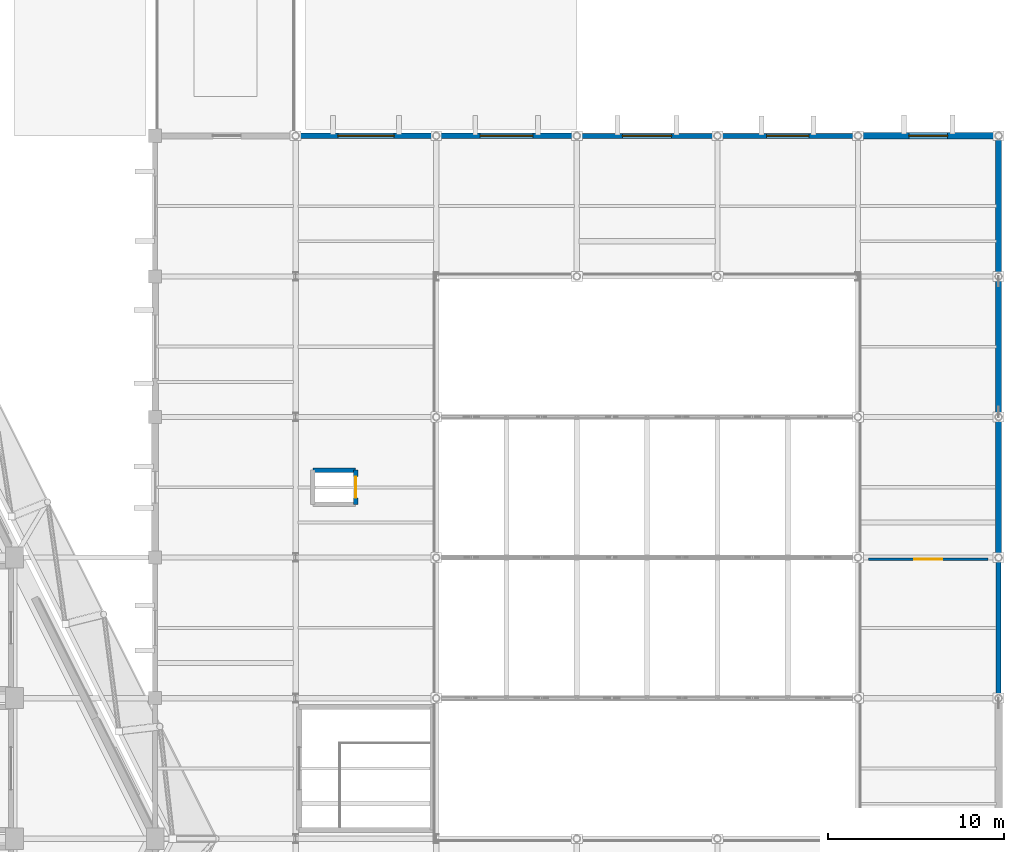
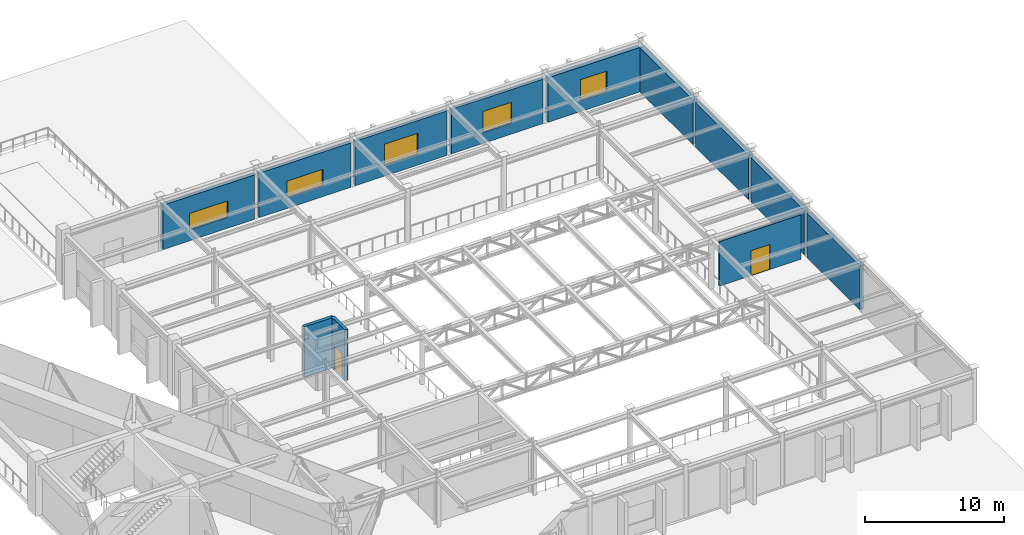
# One storey, part 36 of 46: 12 walls, 5 windows, 2 doors, 7 openings.
"""IFC4 building model written with IfcOpenShell, lengths in metres."""

import ifcopenshell
import ifcopenshell.guid

model = None  # the IFC model being written
_history = None  # IfcOwnerHistory: only IFC2X3 demands one
_inside = {}  # id of a spatial element -> (the spatial element, [elements in it])
_under = {}  # id of a project, library or spatial element -> (it, [spatial elements below it])
_declared = {}  # id of a project -> (the project, [libraries it declares])
_typed = {}  # id of a type object -> (the type object, [elements of that type])
_made_of = {}  # id of a material, layer set ... -> (it, [elements and type objects made of it])


def new_model(schema):
    """Start an empty IFC model of exactly this schema.

    Asked for "IFC4X3", IfcOpenShell would pick the latest addendum, in which some entities
    have other attributes; the version numbers below select the first issue.
    IFC2X3 requires an IfcOwnerHistory on every rooted entity: one is made here for all.
    """
    global model, _history
    if schema == "IFC4X3":
        model = ifcopenshell.file(schema_version=(4, 3, 0, 0))
    else:
        model = ifcopenshell.file(schema=schema)
    _inside.clear()
    _under.clear()
    _declared.clear()
    _typed.clear()
    _made_of.clear()
    _history = None
    if model.schema == "IFC2X3":
        org = make("IfcOrganization", Name="unknown")
        user = make(
            "IfcPersonAndOrganization",
            ThePerson=make("IfcPerson", FamilyName="unknown"),
            TheOrganization=org,
        )
        app = make(
            "IfcApplication",
            ApplicationDeveloper=org,
            Version="unknown",
            ApplicationFullName="unknown",
            ApplicationIdentifier="unknown",
        )
        _history = make(
            "IfcOwnerHistory",
            OwningUser=user,
            OwningApplication=app,
            ChangeAction="ADDED",
            CreationDate=0,
        )
    return model


def make(cls, **values):
    """One entity of the class cls with the attributes given. An attribute that is None is left unset."""
    return model.create_entity(
        cls, **{name: value for name, value in values.items() if value is not None}
    )


def rooted(cls, **values):
    """An entity with a GlobalId (a new one), such as an element, a storey or a relation."""
    return make(cls, GlobalId=ifcopenshell.guid.new(), OwnerHistory=_history, **values)


def si_unit(unit_type, name, prefix=None):
    """IfcSIUnit, for example si_unit("LENGTHUNIT", "METRE", prefix="MILLI")."""
    return make("IfcSIUnit", UnitType=unit_type, Prefix=prefix, Name=name)


def assignment(units):
    """IfcUnitAssignment: the units of a project."""
    return None if units is None else make("IfcUnitAssignment", Units=units)


def point(xyz):
    """IfcCartesianPoint."""
    return None if xyz is None else make("IfcCartesianPoint", Coordinates=xyz)


def direction(xyz):
    """IfcDirection."""
    return None if xyz is None else make("IfcDirection", DirectionRatios=xyz)


def frame(location, z_axis=None, x_axis=None):
    """IfcAxis2Placement3D, a coordinate frame: its origin and axes. An axis left out is left unset."""
    return make(
        "IfcAxis2Placement3D",
        Location=point(location),
        Axis=direction(z_axis),
        RefDirection=direction(x_axis),
    )


def frame_2d(location, x_axis=None):
    """IfcAxis2Placement2D, a coordinate frame in the plane: its origin and x axis."""
    return make(
        "IfcAxis2Placement2D", Location=point(location), RefDirection=direction(x_axis)
    )


def origin():
    """The frame at (0, 0, 0) with its axes left unset."""
    return frame((0.0, 0.0, 0.0))


def place(relative_to, where):
    """IfcLocalPlacement: puts the frame where relative to a parent placement (None: the world)."""
    return make(
        "IfcLocalPlacement", PlacementRelTo=relative_to, RelativePlacement=where
    )


def context(
    kind, dimensions, precision=None, world=None, true_north=None, identifier=None
):
    """IfcGeometricRepresentationContext, for example the 3D "Model" context."""
    return make(
        "IfcGeometricRepresentationContext",
        ContextIdentifier=identifier,
        ContextType=kind,
        CoordinateSpaceDimension=dimensions,
        Precision=precision,
        WorldCoordinateSystem=world,
        TrueNorth=true_north,
    )


def subcontext(parent, identifier, kind, view, scale=None):
    """IfcGeometricRepresentationSubContext, for example "Body" below "Model"."""
    return make(
        "IfcGeometricRepresentationSubContext",
        ContextIdentifier=identifier,
        ContextType=kind,
        ParentContext=parent,
        TargetScale=scale,
        TargetView=view,
    )


def project(units=None, contexts=None):
    """IfcProject with its units and contexts."""
    return rooted(
        "IfcProject",
        Name="project",
        RepresentationContexts=contexts,
        UnitsInContext=assignment(units),
    )


def spatial(cls, under=None, at=None, **own):
    """A site, building, storey or space (cls), placed at a placement, below another one or the project."""
    s = rooted(cls, ObjectPlacement=at, **own)
    if under is not None:
        _under.setdefault(under.id(), (under, []))[1].append(s)
    return s


def profile(cls, at=None, kind="AREA", **sizes):
    """A parametric profile (cls). Its sizes go by their IFC names, for example OverallWidth=200.0."""
    return make(cls, ProfileType=kind, Position=at, **sizes)


def rectangle(**sizes):
    """IfcRectangleProfileDef."""
    return profile("IfcRectangleProfileDef", **sizes)


def extrude(swept, where, along, depth):
    """IfcExtrudedAreaSolid: the profile swept, set in the frame where, extruded along a direction by depth."""
    return make(
        "IfcExtrudedAreaSolid",
        SweptArea=swept,
        Position=where,
        ExtrudedDirection=direction(along),
        Depth=depth,
    )


def shape(context_of_items, identifier, shape_type, items):
    """IfcShapeRepresentation: the items that make up one representation, for example the "Body"."""
    return make(
        "IfcShapeRepresentation",
        ContextOfItems=context_of_items,
        RepresentationIdentifier=identifier,
        RepresentationType=shape_type,
        Items=items,
    )


def material(Name=None, Category=None):
    """IfcMaterial."""
    return make("IfcMaterial", Name=Name, Category=Category)


def layer(
    of_material, thickness, ventilated=None, Name=None, Category=None, Priority=None
):
    """IfcMaterialLayer: one layer of a wall or slab, of a material (None: an air gap)."""
    return make(
        "IfcMaterialLayer",
        Material=of_material,
        LayerThickness=thickness,
        IsVentilated=ventilated,
        Name=Name,
        Category=Category,
        Priority=Priority,
    )


def layer_set(layers, Name=None):
    """IfcMaterialLayerSet."""
    return make("IfcMaterialLayerSet", MaterialLayers=layers, LayerSetName=Name)


def made_of(thing, what):
    """Note that an element or type object is made of a material, layer set ...; save() writes the relation."""
    if what is not None:
        _made_of.setdefault(what.id(), (what, []))[1].append(thing)
    return thing


def type_object(cls, material=None, **own):
    """A type object (cls), such as IfcWallType, which elements share."""
    return made_of(rooted(cls, **own), material)


def element(
    cls,
    number,
    at=None,
    inside=None,
    cuts=None,
    type_object=None,
    material=None,
    context=None,
    identifier="Body",
    shape_type=None,
    held_by="IfcProductDefinitionShape",
    body=None,
    shapes=None,
    **own,
):
    """One element of the class cls, such as IfcWall. Its Tag is "e" and its number.

    at: its placement. inside: the storey or other place that contains it. cuts: it is an
    opening in that element (IfcRelVoidsElement). A single representation is given by context,
    identifier, shape_type and body (its items); several are given by shapes. held_by: the class
    of the entity that holds the representations. save() writes the other relations.
    """
    e = rooted(cls, Tag="e%d" % number, ObjectPlacement=at, **own)
    if body is not None:
        shapes = [shape(context, identifier, shape_type, body)]
    if shapes is not None:
        e.Representation = make(held_by, Representations=shapes)
    if inside is not None:
        _inside.setdefault(inside.id(), (inside, []))[1].append(e)
    if cuts is not None:
        rooted(
            "IfcRelVoidsElement", RelatingBuildingElement=cuts, RelatedOpeningElement=e
        )
    if type_object is not None:
        _typed.setdefault(type_object.id(), (type_object, []))[1].append(e)
    return made_of(e, material)


def fill(opening, filler):
    """IfcRelFillsElement: the door or window that sits in an opening."""
    return rooted(
        "IfcRelFillsElement",
        RelatingOpeningElement=opening,
        RelatedBuildingElement=filler,
    )


def aggregate(whole, parts):
    """IfcRelAggregates: a whole, such as a stair, and the parts it consists of."""
    return rooted("IfcRelAggregates", RelatingObject=whole, RelatedObjects=parts)


def save(model, path):
    """Write the relations noted so far, then the file.

    IfcRelAggregates (storeys below a building ...), IfcRelContainedInSpatialStructure (elements
    in a storey), IfcRelDefinesByType, IfcRelAssociatesMaterial and IfcRelDeclares: one each for
    every whole, place, type object, material and project.
    """
    for whole, parts in _under.values():
        aggregate(whole, parts)
    for where, things in _inside.values():
        rooted(
            "IfcRelContainedInSpatialStructure",
            RelatedElements=things,
            RelatingStructure=where,
        )
    for kind, things in _typed.values():
        rooted("IfcRelDefinesByType", RelatedObjects=things, RelatingType=kind)
    for what, things in _made_of.values():
        rooted("IfcRelAssociatesMaterial", RelatedObjects=things, RelatingMaterial=what)
    for by, libraries in _declared.values():
        rooted("IfcRelDeclares", RelatingContext=by, RelatedDefinitions=libraries)
    model.write(path)


model = new_model("IFC4")

# Units and contexts
model_context = context("Model", 3, precision=1e-05, world=origin(), true_north=direction((0.0, 1.0)))
body_context = subcontext(model_context, "Body", "Model", "MODEL_VIEW")
ifc_project = project(units=[si_unit("LENGTHUNIT", "METRE"), si_unit("AREAUNIT", "SQUARE_METRE"), si_unit("VOLUMEUNIT", "CUBIC_METRE"), si_unit("PLANEANGLEUNIT", "RADIAN"), si_unit("MASSUNIT", "GRAM", prefix="KILO")], contexts=[model_context])

# Site, building, storey
site_placement = place(None, origin())
site = spatial("IfcSite", under=ifc_project, at=site_placement, CompositionType="ELEMENT")
building_placement = place(site_placement, origin())
building = spatial("IfcBuilding", under=site, at=building_placement, Name="Tazarka Park Arena", CompositionType="ELEMENT")
storey_placement = place(building_placement, frame((0.0, 0.0, 10.199951171875)))
storey = spatial("IfcBuildingStorey", under=building, at=storey_placement, Name="L02", CompositionType="ELEMENT", Elevation=10.199951171875)

# Wall
ifc_material_1 = material(Name="Concrete C40/50", Category="concrete")
ifc_layer_1 = layer(ifc_material_1, 0.260009765625, Name="Concrete C40/50")
ifc_layer_set_1 = layer_set([ifc_layer_1], Name="Concrete C40/50")
wall_type_1 = type_object("IfcWallType", Name="IWAL-CW-S3", PredefinedType="SHEAR", material=ifc_layer_set_1)
wall_1_placement = place(storey_placement, frame((144.97998046875, 84.969970703125, 0.0), z_axis=(0.0, 0.0, 1.0), x_axis=(1.0, 0.0, 0.0)))
element("IfcWall", 1, at=wall_1_placement, inside=storey, type_object=wall_type_1, Name="LSW-L02-LF-10-N", PredefinedType="SHEAR", context=body_context, shape_type="SweptSolid", body=[
    extrude(rectangle(XDim=2.43994140625, YDim=0.260009765625, at=frame_2d((1.219970703125, 0.0))), origin(), (0.0, 0.0, 1.0), 4.4599609375),
])

# Wall, opening, door
wall_2_placement = place(storey_placement, frame((147.419921875, 84.969970703125, 0.0), z_axis=(0.0, 0.0, 1.0), x_axis=(0.0, -1.0, 0.0)))
wall_2 = element("IfcWall", 2, at=wall_2_placement, inside=storey, type_object=wall_type_1, Name="LSW-L02-LF-10-E", PredefinedType="SHEAR", context=body_context, shape_type="SweptSolid", body=[
    extrude(rectangle(XDim=1.93994140625, YDim=0.260009765625, at=frame_2d((0.969970703125, 0.0))), origin(), (0.0, 0.0, 1.0), 4.4599609375),
])
opening_1_placement = place(wall_2_placement, frame((0.3701171875, 0.0, 0.0)))
opening_1 = element("IfcOpeningElement", 3, at=opening_1_placement, cuts=wall_2, Name="Opening LD-02", PredefinedType="OPENING", context=body_context, shape_type="SweptSolid", body=[
    extrude(rectangle(XDim=1.199951171875, YDim=2.14990234375, at=frame_2d((0.60009765625, 1.074951171875))), frame((0.0, 0.14013671875, 0.0), z_axis=(0.0, -1.0, 0.0), x_axis=(1.0, 0.0, 0.0)), (0.0, 0.0, 1.0), 0.280029296875),
])
ifc_material_2 = material(Name="Fire-rated powder-coated steel and acoustic timber", Category="steel")
door_type_1 = type_object("IfcDoorType", Name="IDR-LD-02", OperationType="NOTDEFINED", PredefinedType="DOOR", material=ifc_material_2)
door_1_placement = place(opening_1_placement, origin())
door_1 = element("IfcDoor", 4, at=door_1_placement, inside=storey, type_object=door_type_1, Name="Lift Landing Door LF-10-L02", OperationType="SLIDING_TO_LEFT", OverallHeight=2.14990234375, OverallWidth=1.199951171875, PredefinedType="DOOR", context=body_context, shape_type="SweptSolid", body=[
    extrude(rectangle(XDim=1.199951171875, YDim=2.14990234375, at=frame_2d((0.60009765625, 1.074951171875))), frame((0.0, 0.02490234375, 0.0), z_axis=(0.0, -1.0, 0.0), x_axis=(1.0, 0.0, 0.0)), (0.0, 0.0, 1.0), 0.050048828125),
])
fill(opening_1, door_1)

ifc_material_3 = material(Name="Fire-rated acoustic blockwork", Category="masonry")
ifc_layer_2 = layer(ifc_material_3, 0.14990234375, Name="Fire-rated acoustic blockwork")
ifc_layer_set_2 = layer_set([ifc_layer_2], Name="Fire-rated acoustic blockwork")
wall_type_2 = type_object("IfcWallType", Name="IWAL-PT-02", PredefinedType="PARTITIONING", material=ifc_layer_set_2)
wall_3_placement = place(storey_placement, frame((176.611083984375, 79.89990234375, 0.0), z_axis=(0.0, 0.0, 1.0), x_axis=(1.0, 0.0, 0.0)))
wall_3 = element("IfcWall", 5, at=wall_3_placement, inside=storey, type_object=wall_type_2, Name="PRT-L02-020", PredefinedType="PARTITIONING", context=body_context, shape_type="SweptSolid", body=[
    extrude(rectangle(XDim=6.77783203125, YDim=0.14990234375, at=frame_2d((3.388916015625, 0.0))), origin(), (0.0, 0.0, 1.0), 3.91015625),
])
opening_2_placement = place(wall_3_placement, frame((2.5888671875, 0.0, 0.0)))
opening_2 = element("IfcOpeningElement", 6, at=opening_2_placement, cuts=wall_3, Name="Opening ID-07", PredefinedType="OPENING", context=body_context, shape_type="SweptSolid", body=[
    extrude(rectangle(XDim=1.60009765625, YDim=2.199951171875, at=frame_2d((0.800048828125, 1.10009765625))), frame((0.0, 0.0849609375, 0.0), z_axis=(0.0, -1.0, 0.0), x_axis=(1.0, 0.0, 0.0)), (0.0, 0.0, 1.0), 0.169921875),
])
ifc_material_4 = material(Name="Fire-rated powder-coated steel and acoustic timber", Category="steel")
door_type_2 = type_object("IfcDoorType", Name="IDR-ID-07", OperationType="NOTDEFINED", PredefinedType="DOOR", material=ifc_material_4)
door_2_placement = place(opening_2_placement, origin())
door_2 = element("IfcDoor", 7, at=door_2_placement, inside=storey, type_object=door_type_2, Name="Room Door Community Training Studio and Martial Arts Dojo", OperationType="DOUBLE_DOOR_SINGLE_SWING", OverallHeight=2.199951171875, OverallWidth=1.60009765625, PredefinedType="DOOR", context=body_context, shape_type="SweptSolid", body=[
    extrude(rectangle(XDim=1.60009765625, YDim=2.199951171875, at=frame_2d((0.800048828125, 1.10009765625))), frame((0.0, 0.02490234375, 0.0), z_axis=(0.0, -1.0, 0.0), x_axis=(1.0, 0.0, 0.0)), (0.0, 0.0, 1.0), 0.050048828125),
])
fill(opening_2, door_2)

# Walls
ifc_material_5 = material(Name="Precast concrete C40/50", Category="concrete")
ifc_layer_3 = layer(ifc_material_5, 0.300048828125, Name="Precast concrete C40/50")
ifc_layer_set_3 = layer_set([ifc_layer_3], Name="Precast concrete C40/50")
wall_type_3 = type_object("IfcWallType", Name="WAL-EW-01", PredefinedType="SOLIDWALL", material=ifc_layer_set_3)
wall_4_placement = place(storey_placement, frame((184.0, 79.81689453125, 0.0), z_axis=(0.0, 0.0, 1.0), x_axis=(0.0, -1.0, 0.0)))
element("IfcWall", 8, at=wall_4_placement, inside=storey, type_object=wall_type_3, Name="EW-L02-0272", PredefinedType="SOLIDWALL", context=body_context, shape_type="SweptSolid", body=[
    extrude(rectangle(XDim=7.6337890625, YDim=0.300048828125, at=frame_2d((3.81689453125, 0.0))), origin(), (0.0, 0.0, 1.0), 3.91015625),
])
ifc_material_6 = material(Name="Precast concrete C40/50", Category="concrete")
ifc_layer_4 = layer(ifc_material_6, 0.320068359375, Name="Precast concrete C40/50")
ifc_layer_set_4 = layer_set([ifc_layer_4], Name="Precast concrete C40/50")
wall_type_4 = type_object("IfcWallType", Name="WAL-EW-02", PredefinedType="SOLIDWALL", material=ifc_layer_set_4)
wall_5_placement = place(storey_placement, frame((184.0, 87.81689453125, 0.0), z_axis=(0.0, 0.0, 1.0), x_axis=(0.0, -1.0, 0.0)))
element("IfcWall", 9, at=wall_5_placement, inside=storey, type_object=wall_type_4, Name="EW-L02-0273", PredefinedType="SOLIDWALL", context=body_context, shape_type="SweptSolid", body=[
    extrude(rectangle(XDim=7.6337890625, YDim=0.320068359375, at=frame_2d((3.81689453125, 0.0))), origin(), (0.0, 0.0, 1.0), 3.91015625),
])
ifc_material_7 = material(Name="Concrete C40/50", Category="concrete")
ifc_layer_5 = layer(ifc_material_7, 0.340087890625, Name="Concrete C40/50")
ifc_layer_set_5 = layer_set([ifc_layer_5], Name="Concrete C40/50")
wall_type_5 = type_object("IfcWallType", Name="WAL-EW-03", PredefinedType="SOLIDWALL", material=ifc_layer_set_5)
wall_6_placement = place(storey_placement, frame((184.0, 95.81689453125, 0.0), z_axis=(0.0, 0.0, 1.0), x_axis=(0.0, -1.0, 0.0)))
element("IfcWall", 10, at=wall_6_placement, inside=storey, type_object=wall_type_5, Name="EW-L02-0274", PredefinedType="SOLIDWALL", context=body_context, shape_type="SweptSolid", body=[
    extrude(rectangle(XDim=7.6337890625, YDim=0.340087890625, at=frame_2d((3.81689453125, 0.0))), origin(), (0.0, 0.0, 1.0), 3.91015625),
])
ifc_material_8 = material(Name="Concrete C40/50", Category="concrete")
ifc_layer_6 = layer(ifc_material_8, 0.360107421875, Name="Concrete C40/50")
ifc_layer_set_6 = layer_set([ifc_layer_6], Name="Concrete C40/50")
wall_type_6 = type_object("IfcWallType", Name="WAL-EW-04", PredefinedType="SOLIDWALL", material=ifc_layer_set_6)
wall_7_placement = place(storey_placement, frame((184.0, 103.81689453125, 0.0), z_axis=(0.0, 0.0, 1.0), x_axis=(0.0, -1.0, 0.0)))
element("IfcWall", 11, at=wall_7_placement, inside=storey, type_object=wall_type_6, Name="EW-L02-0275", PredefinedType="SOLIDWALL", context=body_context, shape_type="SweptSolid", body=[
    extrude(rectangle(XDim=7.6337890625, YDim=0.360107421875, at=frame_2d((3.81689453125, 0.0))), origin(), (0.0, 0.0, 1.0), 3.91015625),
])

# Wall, opening, window
ifc_material_9 = material(Name="Concrete C50/60", Category="concrete")
ifc_layer_7 = layer(ifc_material_9, 0.3798828125, Name="Concrete C50/60")
ifc_layer_set_7 = layer_set([ifc_layer_7], Name="Concrete C50/60")
wall_type_7 = type_object("IfcWallType", Name="WAL-EW-05", PredefinedType="SOLIDWALL", material=ifc_layer_set_7)
wall_8_placement = place(storey_placement, frame((176.18310546875, 104.0, 0.0), z_axis=(0.0, 0.0, 1.0), x_axis=(1.0, 0.0, 0.0)))
wall_8 = element("IfcWall", 12, at=wall_8_placement, inside=storey, type_object=wall_type_7, Name="EW-L02-0276", PredefinedType="SOLIDWALL", context=body_context, shape_type="SweptSolid", body=[
    extrude(rectangle(XDim=7.6337890625, YDim=0.3798828125, at=frame_2d((3.81689453125, 0.0))), origin(), (0.0, 0.0, 1.0), 3.91015625),
])
opening_3_placement = place(wall_8_placement, frame((2.716796875, 0.0, 0.949951171875)))
opening_3 = element("IfcOpeningElement", 13, at=opening_3_placement, cuts=wall_8, Name="Opening WN-10", PredefinedType="OPENING", context=body_context, shape_type="SweptSolid", body=[
    extrude(rectangle(XDim=2.199951171875, YDim=1.85009765625, at=frame_2d((1.10009765625, 0.925048828125))), frame((0.0, 0.199951171875, 0.0), z_axis=(0.0, -1.0, 0.0), x_axis=(1.0, 0.0, 0.0)), (0.0, 0.0, 1.0), 0.39990234375),
])
ifc_material_10 = material(Name="Thermally broken aluminium and solar-control low-e glazing", Category="aluminium")
window_type_1 = type_object("IfcWindowType", Name="WIN-WN-10", PartitioningType="DOUBLE_PANEL_VERTICAL", PredefinedType="WINDOW", material=ifc_material_10)
window_1_placement = place(opening_3_placement, origin())
window_1 = element("IfcWindow", 14, at=window_1_placement, inside=storey, type_object=window_type_1, Name="WIN-L02-0046", OverallHeight=1.85009765625, OverallWidth=2.199951171875, PartitioningType="SINGLE_PANEL", PredefinedType="WINDOW", context=body_context, shape_type="SweptSolid", body=[
    extrude(rectangle(XDim=2.199951171875, YDim=1.85009765625, at=frame_2d((1.10009765625, 0.925048828125))), frame((0.0, 0.030029296875, 0.0), z_axis=(0.0, -1.0, 0.0), x_axis=(1.0, 0.0, 0.0)), (0.0, 0.0, 1.0), 0.06005859375),
])
fill(opening_3, window_1)

ifc_material_11 = material(Name="Precast concrete C40/50", Category="concrete")
ifc_layer_8 = layer(ifc_material_11, 0.280029296875, Name="Precast concrete C40/50")
ifc_layer_set_8 = layer_set([ifc_layer_8], Name="Precast concrete C40/50")
wall_type_8 = type_object("IfcWallType", Name="WAL-EW-06", PredefinedType="SOLIDWALL", material=ifc_layer_set_8)
wall_9_placement = place(storey_placement, frame((168.18310546875, 104.0, 0.0), z_axis=(0.0, 0.0, 1.0), x_axis=(1.0, 0.0, 0.0)))
wall_9 = element("IfcWall", 15, at=wall_9_placement, inside=storey, type_object=wall_type_8, Name="EW-L02-0277", PredefinedType="SOLIDWALL", context=body_context, shape_type="SweptSolid", body=[
    extrude(rectangle(XDim=7.6337890625, YDim=0.280029296875, at=frame_2d((3.81689453125, 0.0))), origin(), (0.0, 0.0, 1.0), 3.91015625),
])
opening_4_placement = place(wall_9_placement, frame((2.61669921875, 0.0, 0.949951171875)))
opening_4 = element("IfcOpeningElement", 16, at=opening_4_placement, cuts=wall_9, Name="Opening WN-11", PredefinedType="OPENING", context=body_context, shape_type="SweptSolid", body=[
    extrude(rectangle(XDim=2.39990234375, YDim=1.85009765625, at=frame_2d((1.199951171875, 0.925048828125))), frame((0.0, 0.14990234375, 0.0), z_axis=(0.0, -1.0, 0.0), x_axis=(1.0, 0.0, 0.0)), (0.0, 0.0, 1.0), 0.300048828125),
])
ifc_material_12 = material(Name="Thermally broken aluminium and solar-control low-e glazing", Category="aluminium")
window_type_2 = type_object("IfcWindowType", Name="WIN-WN-11", PartitioningType="DOUBLE_PANEL_VERTICAL", PredefinedType="WINDOW", material=ifc_material_12)
window_2_placement = place(opening_4_placement, origin())
window_2 = element("IfcWindow", 17, at=window_2_placement, inside=storey, type_object=window_type_2, Name="WIN-L02-0047", OverallHeight=1.85009765625, OverallWidth=2.39990234375, PartitioningType="SINGLE_PANEL", PredefinedType="WINDOW", context=body_context, shape_type="SweptSolid", body=[
    extrude(rectangle(XDim=2.39990234375, YDim=1.85009765625, at=frame_2d((1.199951171875, 0.925048828125))), frame((0.0, 0.030029296875, 0.0), z_axis=(0.0, -1.0, 0.0), x_axis=(1.0, 0.0, 0.0)), (0.0, 0.0, 1.0), 0.06005859375),
])
fill(opening_4, window_2)

ifc_material_13 = material(Name="Precast concrete C40/50", Category="concrete")
ifc_layer_9 = layer(ifc_material_13, 0.2900390625, Name="Precast concrete C40/50")
ifc_layer_set_9 = layer_set([ifc_layer_9], Name="Precast concrete C40/50")
wall_type_9 = type_object("IfcWallType", Name="WAL-EW-07", PredefinedType="SOLIDWALL", material=ifc_layer_set_9)
wall_10_placement = place(storey_placement, frame((160.18310546875, 104.0, 0.0), z_axis=(0.0, 0.0, 1.0), x_axis=(1.0, 0.0, 0.0)))
wall_10 = element("IfcWall", 18, at=wall_10_placement, inside=storey, type_object=wall_type_9, Name="EW-L02-0278", PredefinedType="SOLIDWALL", context=body_context, shape_type="SweptSolid", body=[
    extrude(rectangle(XDim=7.6337890625, YDim=0.2900390625, at=frame_2d((3.81689453125, 0.0))), origin(), (0.0, 0.0, 1.0), 3.91015625),
])
opening_5_placement = place(wall_10_placement, frame((2.416748046875, 0.0, 0.949951171875)))
opening_5 = element("IfcOpeningElement", 19, at=opening_5_placement, cuts=wall_10, Name="Opening WN-12", PredefinedType="OPENING", context=body_context, shape_type="SweptSolid", body=[
    extrude(rectangle(XDim=2.800048828125, YDim=1.85009765625, at=frame_2d((1.39990234375, 0.925048828125))), frame((0.0, 0.155029296875, 0.0), z_axis=(0.0, -1.0, 0.0), x_axis=(1.0, 0.0, 0.0)), (0.0, 0.0, 1.0), 0.31005859375),
])
ifc_material_14 = material(Name="Thermally broken aluminium and solar-control low-e glazing", Category="aluminium")
window_type_3 = type_object("IfcWindowType", Name="WIN-WN-12", PartitioningType="DOUBLE_PANEL_VERTICAL", PredefinedType="WINDOW", material=ifc_material_14)
window_3_placement = place(opening_5_placement, origin())
window_3 = element("IfcWindow", 20, at=window_3_placement, inside=storey, type_object=window_type_3, Name="WIN-L02-0048", OverallHeight=1.85009765625, OverallWidth=2.800048828125, PartitioningType="SINGLE_PANEL", PredefinedType="WINDOW", context=body_context, shape_type="SweptSolid", body=[
    extrude(rectangle(XDim=2.800048828125, YDim=1.85009765625, at=frame_2d((1.39990234375, 0.925048828125))), frame((0.0, 0.030029296875, 0.0), z_axis=(0.0, -1.0, 0.0), x_axis=(1.0, 0.0, 0.0)), (0.0, 0.0, 1.0), 0.06005859375),
])
fill(opening_5, window_3)

ifc_material_15 = material(Name="Precast concrete C40/50", Category="concrete")
ifc_layer_10 = layer(ifc_material_15, 0.31005859375, Name="Precast concrete C40/50")
ifc_layer_set_10 = layer_set([ifc_layer_10], Name="Precast concrete C40/50")
wall_type_10 = type_object("IfcWallType", Name="WAL-EW-08", PredefinedType="SOLIDWALL", material=ifc_layer_set_10)
wall_11_placement = place(storey_placement, frame((152.18310546875, 104.0, 0.0), z_axis=(0.0, 0.0, 1.0), x_axis=(1.0, 0.0, 0.0)))
wall_11 = element("IfcWall", 21, at=wall_11_placement, inside=storey, type_object=wall_type_10, Name="EW-L02-0279", PredefinedType="SOLIDWALL", context=body_context, shape_type="SweptSolid", body=[
    extrude(rectangle(XDim=7.6337890625, YDim=0.31005859375, at=frame_2d((3.81689453125, 0.0))), origin(), (0.0, 0.0, 1.0), 3.91015625),
])
opening_6_placement = place(wall_11_placement, frame((2.31689453125, 0.0, 0.949951171875)))
opening_6 = element("IfcOpeningElement", 22, at=opening_6_placement, cuts=wall_11, Name="Opening WN-13", PredefinedType="OPENING", context=body_context, shape_type="SweptSolid", body=[
    extrude(rectangle(XDim=3.0, YDim=1.449951171875, at=frame_2d((1.5, 0.72509765625))), frame((0.0, 0.1650390625, 0.0), z_axis=(0.0, -1.0, 0.0), x_axis=(1.0, 0.0, 0.0)), (0.0, 0.0, 1.0), 0.330078125),
])
ifc_material_16 = material(Name="Thermally broken aluminium and solar-control low-e glazing", Category="aluminium")
window_type_4 = type_object("IfcWindowType", Name="WIN-WN-13", PartitioningType="DOUBLE_PANEL_VERTICAL", PredefinedType="WINDOW", material=ifc_material_16)
window_4_placement = place(opening_6_placement, origin())
window_4 = element("IfcWindow", 23, at=window_4_placement, inside=storey, type_object=window_type_4, Name="WIN-L02-0049", OverallHeight=1.449951171875, OverallWidth=3.0, PartitioningType="SINGLE_PANEL", PredefinedType="WINDOW", context=body_context, shape_type="SweptSolid", body=[
    extrude(rectangle(XDim=3.0, YDim=1.449951171875, at=frame_2d((1.5, 0.72509765625))), frame((0.0, 0.030029296875, 0.0), z_axis=(0.0, -1.0, 0.0), x_axis=(1.0, 0.0, 0.0)), (0.0, 0.0, 1.0), 0.06005859375),
])
fill(opening_6, window_4)

ifc_material_17 = material(Name="Concrete C40/50", Category="concrete")
ifc_layer_11 = layer(ifc_material_17, 0.330078125, Name="Concrete C40/50")
ifc_layer_set_11 = layer_set([ifc_layer_11], Name="Concrete C40/50")
wall_type_11 = type_object("IfcWallType", Name="WAL-EW-09", PredefinedType="SOLIDWALL", material=ifc_layer_set_11)
wall_12_placement = place(storey_placement, frame((144.18310546875, 104.0, 0.0), z_axis=(0.0, 0.0, 1.0), x_axis=(1.0, 0.0, 0.0)))
wall_12 = element("IfcWall", 24, at=wall_12_placement, inside=storey, type_object=wall_type_11, Name="EW-L02-0280", PredefinedType="SOLIDWALL", context=body_context, shape_type="SweptSolid", body=[
    extrude(rectangle(XDim=7.6337890625, YDim=0.330078125, at=frame_2d((3.81689453125, 0.0))), origin(), (0.0, 0.0, 1.0), 3.91015625),
])
opening_7_placement = place(wall_12_placement, frame((2.216796875, 0.0, 0.949951171875)))
opening_7 = element("IfcOpeningElement", 25, at=opening_7_placement, cuts=wall_12, Name="Opening WN-14", PredefinedType="OPENING", context=body_context, shape_type="SweptSolid", body=[
    extrude(rectangle(XDim=3.199951171875, YDim=1.449951171875, at=frame_2d((1.60009765625, 0.72509765625))), frame((0.0, 0.175048828125, 0.0), z_axis=(0.0, -1.0, 0.0), x_axis=(1.0, 0.0, 0.0)), (0.0, 0.0, 1.0), 0.35009765625),
])
ifc_material_18 = material(Name="Thermally broken aluminium and solar-control low-e glazing", Category="aluminium")
window_type_5 = type_object("IfcWindowType", Name="WIN-WN-14", PartitioningType="DOUBLE_PANEL_VERTICAL", PredefinedType="WINDOW", material=ifc_material_18)
window_5_placement = place(opening_7_placement, origin())
window_5 = element("IfcWindow", 26, at=window_5_placement, inside=storey, type_object=window_type_5, Name="WIN-L02-0050", OverallHeight=1.449951171875, OverallWidth=3.199951171875, PartitioningType="SINGLE_PANEL", PredefinedType="WINDOW", context=body_context, shape_type="SweptSolid", body=[
    extrude(rectangle(XDim=3.199951171875, YDim=1.449951171875, at=frame_2d((1.60009765625, 0.72509765625))), frame((0.0, 0.030029296875, 0.0), z_axis=(0.0, -1.0, 0.0), x_axis=(1.0, 0.0, 0.0)), (0.0, 0.0, 1.0), 0.06005859375),
])
fill(opening_7, window_5)

save(model, "model.ifc")
